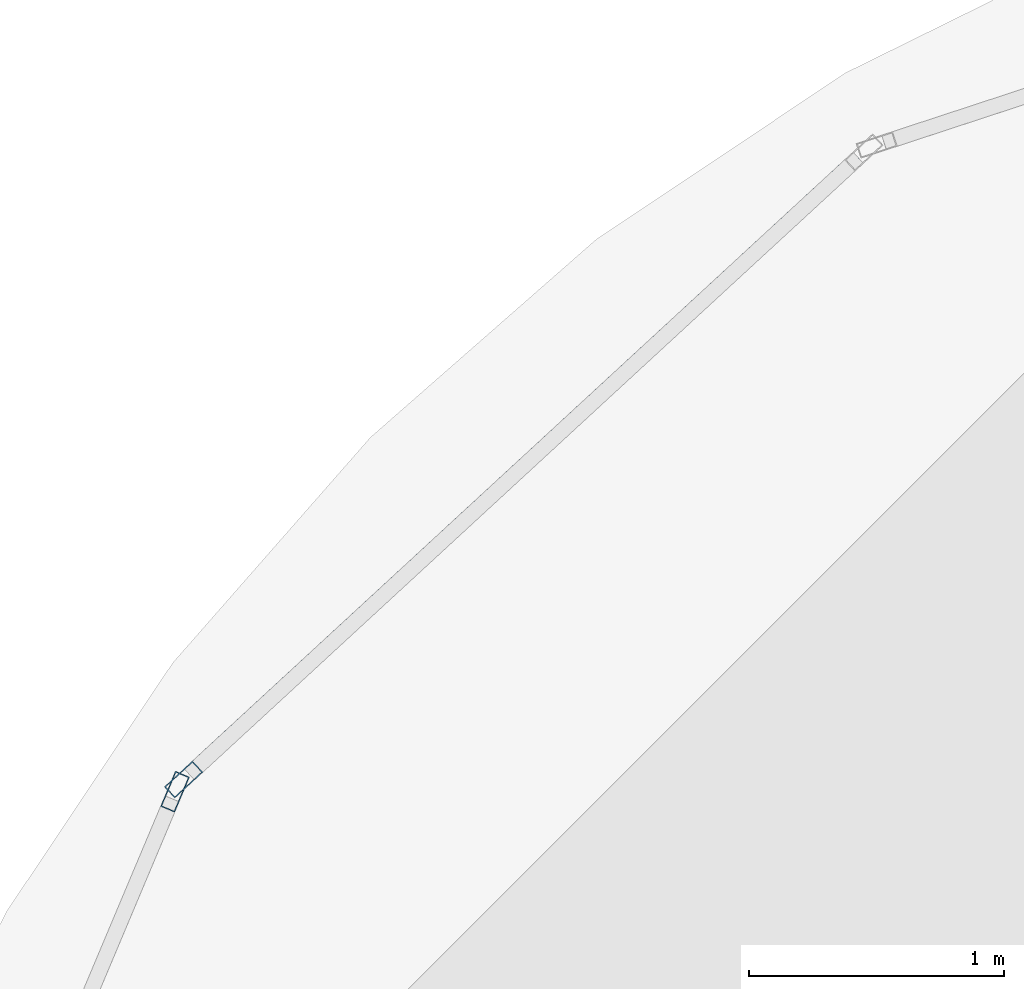
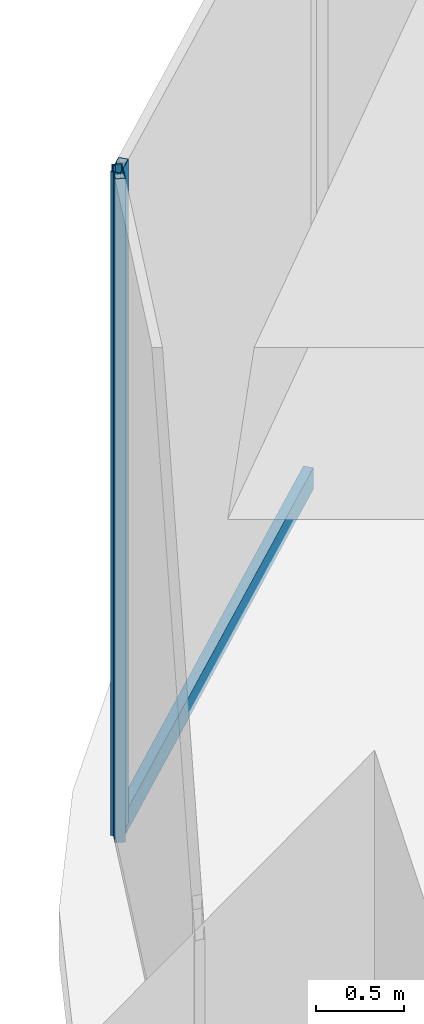
# One storey, part 22 of 38: 3 members, 2 elements without a shape of their own.
"""IFC4 building model written with IfcOpenShell, lengths in metres."""

from ifc_helpers import new_model, si_unit, direction, frame, origin, origin_2d, place, context, subcontext, project, spatial, hollow_rectangle, extrude, material, material_profile, profile_set, type_object, element, aggregate, save


model = new_model("IFC4")

# Units and contexts
model_context = context("Model", 3, precision=1e-05, world=origin(), true_north=direction((0.0, 1.0)))
body_context = subcontext(model_context, "Body", "Model", "MODEL_VIEW")
ifc_project = project(units=[si_unit("LENGTHUNIT", "METRE"), si_unit("AREAUNIT", "SQUARE_METRE"), si_unit("VOLUMEUNIT", "CUBIC_METRE"), si_unit("PLANEANGLEUNIT", "RADIAN"), si_unit("MASSUNIT", "GRAM", prefix="KILO")], contexts=[model_context])

# Site, building, storey
site_placement = place(None, origin())
site = spatial("IfcSite", under=ifc_project, at=site_placement, CompositionType="ELEMENT")
building_placement = place(site_placement, origin())
building = spatial("IfcBuilding", under=site, at=building_placement, Name="Zorevar Civic Tower", CompositionType="ELEMENT")
storey_placement = place(building_placement, frame((0.0, 0.0, 157.199951171875)))
storey = spatial("IfcBuildingStorey", under=building, at=storey_placement, Name="L38", CompositionType="ELEMENT", Elevation=157.199951171875)

# Curtain wall, member
ifc_material_1 = material(Name="Black aluminium louvres", Category="aluminium")
curtain_wall_type = type_object("IfcCurtainWallType", Name="Louvred curtain wall CW6 refuge", PredefinedType="NOTDEFINED", material=ifc_material_1)
curtain_wall_1_placement = place(storey_placement, origin())
curtain_wall_1 = element("IfcCurtainWall", 1, at=curtain_wall_1_placement, inside=storey, type_object=curtain_wall_type, Name="CW6 L38", PredefinedType="NOTDEFINED")
ifc_material_2 = material(Name="Aluminium, black anodised", Category="aluminium")
ifc_material_profile_1 = material_profile(ifc_material_2, hollow_rectangle(XDim=0.06005859375, YDim=0.14990234375, WallThickness=0.00390625, at=origin_2d()), Name="AL 150x60x4")
ifc_profile_set_1 = profile_set([ifc_material_profile_1], Name="Aluminium, black anodised")
member_type_1 = type_object("IfcMemberType", Name="CW6 mullion AL 150x60x4", PredefinedType="MULLION", material=ifc_profile_set_1)
member_1_placement = place(storey_placement, frame((1.90283203125, 41.02099609375, 0.0), z_axis=(0.0, 0.0, 1.0), x_axis=(0.677777450165, -0.7352671134, 0.0)))
member_1 = element("IfcMember", 2, at=member_1_placement, type_object=member_type_1, Name="CW6 mullion 2", PredefinedType="MULLION", context=body_context, shape_type="SweptSolid", body=[
    extrude(hollow_rectangle(XDim=0.06005859375, YDim=0.14990234375, WallThickness=0.00390625, at=origin_2d()), origin(), (0.0, 0.0, 1.0), 4.60009765625),
])

curtain_wall_2_placement = place(storey_placement, origin())
curtain_wall_2 = element("IfcCurtainWall", 3, at=curtain_wall_2_placement, inside=storey, type_object=curtain_wall_type, Name="CW6 L38", PredefinedType="NOTDEFINED")
member_2_placement = place(storey_placement, frame((1.869140625, 40.97314453125, 0.0), z_axis=(0.0, 0.0, 1.0), x_axis=(0.921581744025, -0.388184349349, 0.0)))
member_2 = element("IfcMember", 4, at=member_2_placement, type_object=member_type_1, Name="CW6 mullion 1", PredefinedType="MULLION", context=body_context, shape_type="SweptSolid", body=[
    extrude(hollow_rectangle(XDim=0.06005859375, YDim=0.14990234375, WallThickness=0.00390625, at=origin_2d()), origin(), (0.0, 0.0, 1.0), 4.60009765625),
])
aggregate(curtain_wall_2, [member_2])

# Member
ifc_material_3 = material(Name="Aluminium, black anodised", Category="aluminium")
ifc_material_profile_2 = material_profile(ifc_material_3, hollow_rectangle(XDim=0.06005859375, YDim=0.14990234375, WallThickness=0.00390625, at=origin_2d()), Name="AL 150x60x4")
ifc_profile_set_2 = profile_set([ifc_material_profile_2], Name="Aluminium, black anodised")
member_type_2 = type_object("IfcMemberType", Name="CW6 transom AL 150x60x4", PredefinedType="USERDEFINED", material=ifc_profile_set_2)
member_3_placement = place(storey_placement, frame((4.550048828125, 43.461181640625, 0.030029296875), z_axis=(-0.735277810103, -0.677765845975, 0.0), x_axis=(0.677765845975, -0.735277810103, 0.0)))
member_3 = element("IfcMember", 5, at=member_3_placement, type_object=member_type_2, Name="CW6 sill transom", ObjectType="TRANSOM", PredefinedType="USERDEFINED", context=body_context, shape_type="SweptSolid", body=[
    extrude(hollow_rectangle(XDim=0.06005859375, YDim=0.14990234375, WallThickness=0.00390625, at=origin_2d()), origin(), (0.0, 0.0, 1.0), 3.570068359375),
])

aggregate(curtain_wall_1, [member_1, member_3])

save(model, "model.ifc")
